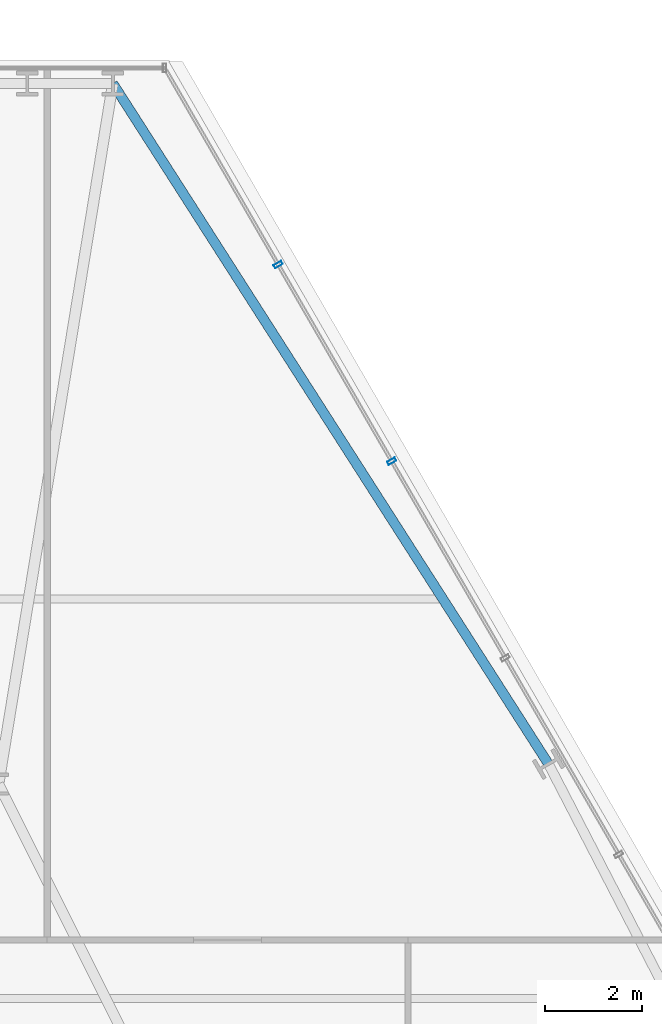
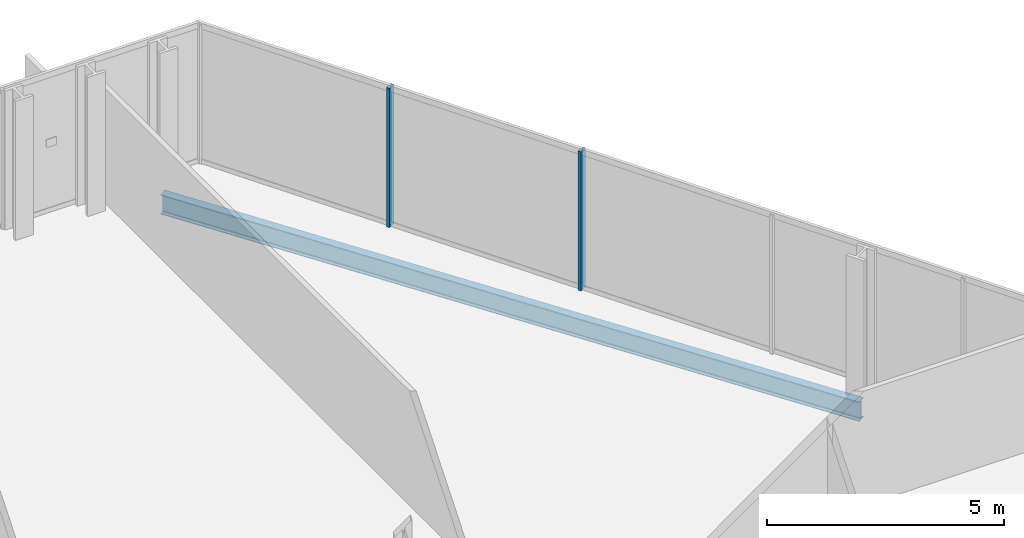
# One storey, part 25 of 33: 2 members, 1 beam, 1 element without a shape of its own.
"""IFC4 building model written with IfcOpenShell, lengths in metres."""

from ifc_helpers import new_model, si_unit, direction, frame, origin, origin_2d, place, context, subcontext, project, spatial, hollow_rectangle, i_section, extrude, material, layer, layer_set, material_profile, profile_set, type_object, element, aggregate, save


model = new_model("IFC4")

# Units and contexts
model_context = context("Model", 3, precision=1e-05, world=origin(), true_north=direction((0.0, 1.0)))
body_context = subcontext(model_context, "Body", "Model", "MODEL_VIEW")
ifc_project = project(units=[si_unit("LENGTHUNIT", "METRE"), si_unit("AREAUNIT", "SQUARE_METRE"), si_unit("VOLUMEUNIT", "CUBIC_METRE"), si_unit("PLANEANGLEUNIT", "RADIAN"), si_unit("MASSUNIT", "GRAM", prefix="KILO")], contexts=[model_context])

# Site, building, storey
site_placement = place(None, origin())
site = spatial("IfcSite", under=ifc_project, at=site_placement, CompositionType="ELEMENT")
building_placement = place(site_placement, origin())
building = spatial("IfcBuilding", under=site, at=building_placement, Name="Ndaravel Arena Tower", CompositionType="ELEMENT")
storey_placement = place(building_placement, frame((0.0, 0.0, 81.60009765625)))
storey = spatial("IfcBuildingStorey", under=building, at=storey_placement, Name="L18", CompositionType="ELEMENT", Elevation=81.60009765625)

# Beam
ifc_material_1 = material(Name="Steel S355", Category="steel")
ifc_material_profile_1 = material_profile(ifc_material_1, i_section(OverallWidth=0.199951171875, OverallDepth=0.5, WebThickness=0.01025390625, FlangeThickness=0.01611328125, FilletRadius=0.02099609375, at=origin_2d()), Name="IPE 500")
ifc_profile_set_1 = profile_set([ifc_material_profile_1], Name="Steel S355")
beam_type = type_object("IfcBeamType", Name="BM-SPAN-IPE500", PredefinedType="SPANDREL", material=ifc_profile_set_1)
beam_placement = place(storey_placement, frame((57.087158203125, 31.61181640625, -0.47021484375), z_axis=(-0.539178204501, 0.842191702519, 0.0), x_axis=(-0.842191702519, -0.539178204501, 0.0)))
element("IfcBeam", 1, at=beam_placement, inside=storey, type_object=beam_type, Name="L18 Perimeter Spandrel Beam SP-10", PredefinedType="SPANDREL", context=body_context, shape_type="SweptSolid", body=[
    extrude(i_section(OverallWidth=0.199951171875, OverallDepth=0.5, WebThickness=0.01025390625, FlangeThickness=0.01611328125, FilletRadius=0.02099609375, at=origin_2d()), origin(), (0.0, 0.0, 1.0), 16.58056640625),
])

# Curtain wall, members
ifc_material_2 = material(Name="Aluminium", Category="aluminium")
ifc_layer = layer(ifc_material_2, 0.179931640625)
ifc_layer_set = layer_set([ifc_layer], Name="Aluminium")
curtain_wall_type = type_object("IfcCurtainWallType", Name="CW-SYS-03", PredefinedType="NOTDEFINED", material=ifc_layer_set)
curtain_wall_placement = place(storey_placement, origin())
curtain_wall = element("IfcCurtainWall", 2, at=curtain_wall_placement, inside=storey, type_object=curtain_wall_type, Name="L18 Faceted Crystal Curtain Wall CW-L18-E03", PredefinedType="NOTDEFINED")
ifc_material_3 = material(Name="Aluminium", Category="aluminium")
ifc_material_profile_2 = material_profile(ifc_material_3, hollow_rectangle(XDim=0.074951171875, YDim=0.179931640625, WallThickness=0.00390625, at=origin_2d()), Name="CW MULLION 75x180x4")
ifc_profile_set_2 = profile_set([ifc_material_profile_2], Name="Aluminium")
member_type = type_object("IfcMemberType", Name="MEM-CW-MUL180", PredefinedType="MULLION", material=ifc_profile_set_2)
member_1_placement = place(storey_placement, frame((53.86962890625, 37.824951171875, 0.0), z_axis=(0.0, 0.0, 1.0), x_axis=(-0.5, 0.866025403784, 0.0)))
member_1 = element("IfcMember", 3, at=member_1_placement, type_object=member_type, Name="CW-L18-E03 Mullion 05", PredefinedType="MULLION", context=body_context, shape_type="SweptSolid", body=[
    extrude(hollow_rectangle(XDim=0.074951171875, YDim=0.179931640625, WallThickness=0.00390625, at=origin_2d()), origin(), (0.0, 0.0, 1.0), 3.579833984375),
])
member_2_placement = place(storey_placement, frame((51.539794921875, 41.860595703125, 0.0), z_axis=(0.0, 0.0, 1.0), x_axis=(-0.5, 0.866025403784, 0.0)))
member_2 = element("IfcMember", 4, at=member_2_placement, type_object=member_type, Name="CW-L18-E03 Mullion 06", PredefinedType="MULLION", context=body_context, shape_type="SweptSolid", body=[
    extrude(hollow_rectangle(XDim=0.074951171875, YDim=0.179931640625, WallThickness=0.00390625, at=origin_2d()), origin(), (0.0, 0.0, 1.0), 3.579833984375),
])
aggregate(curtain_wall, [member_1, member_2])

save(model, "model.ifc")
